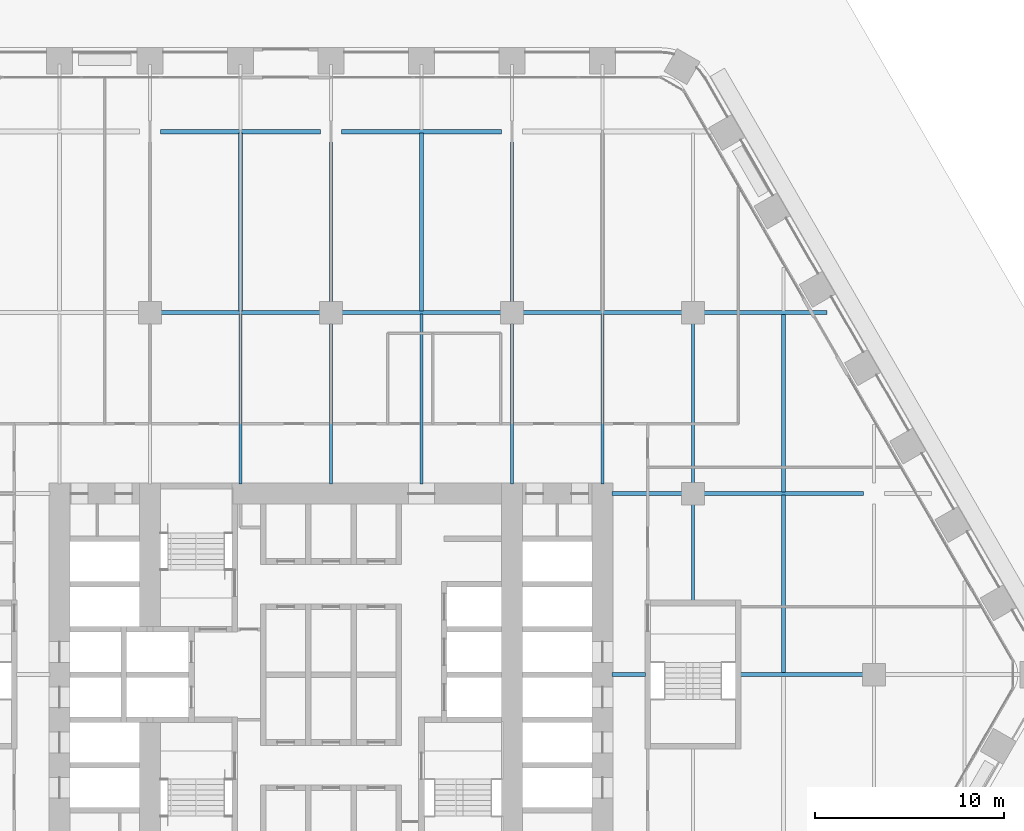
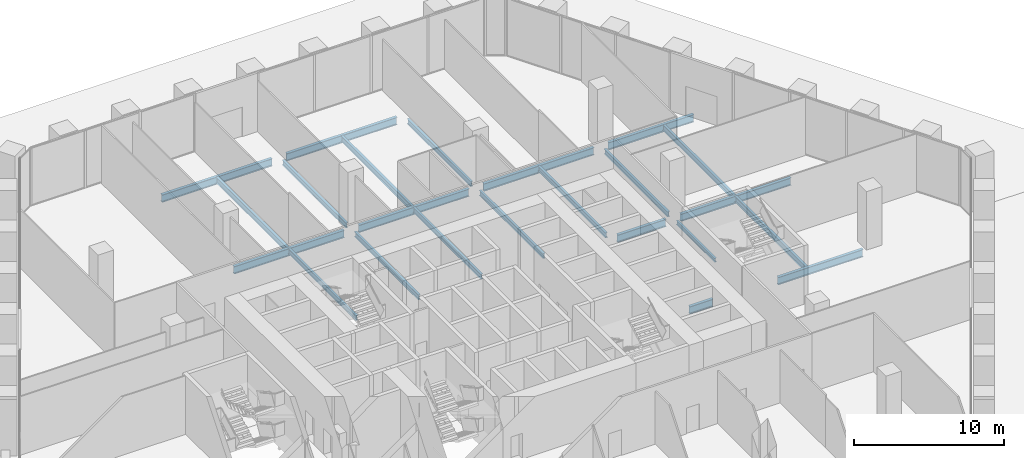
# One storey, part 9 of 29: 23 beams.
"""IFC4 building model written with IfcOpenShell, lengths in metres."""

from ifc_helpers import new_model, si_unit, direction, frame, origin, origin_2d, place, context, subcontext, project, spatial, i_section, extrude, material, material_profile, profile_set, type_object, element, save


model = new_model("IFC4")

# Units and contexts
model_context = context("Model", 3, precision=1e-05, world=origin(), true_north=direction((0.0, 1.0)))
body_context = subcontext(model_context, "Body", "Model", "MODEL_VIEW")
ifc_project = project(units=[si_unit("LENGTHUNIT", "METRE"), si_unit("AREAUNIT", "SQUARE_METRE"), si_unit("VOLUMEUNIT", "CUBIC_METRE"), si_unit("PLANEANGLEUNIT", "RADIAN"), si_unit("MASSUNIT", "GRAM", prefix="KILO")], contexts=[model_context])

# Site, building, storey
site_placement = place(None, origin())
site = spatial("IfcSite", under=ifc_project, at=site_placement, CompositionType="ELEMENT")
building_placement = place(site_placement, origin())
building = spatial("IfcBuilding", under=site, at=building_placement, Name="Kolab Exchange Tower", CompositionType="ELEMENT")
storey_placement = place(building_placement, frame((0.0, 0.0, 17.39990234375)))
storey = spatial("IfcBuildingStorey", under=building, at=storey_placement, Name="L03", CompositionType="ELEMENT", Elevation=17.39990234375)

# Beams
ifc_material = material(Name="Steel S355", Category="steel")
ifc_material_profile_1 = material_profile(ifc_material, i_section(OverallWidth=0.1650390625, OverallDepth=0.31005859375, WebThickness=0.005859375, FlangeThickness=0.009765625, at=origin_2d()), Name="W310X39")
ifc_profile_set_1 = profile_set([ifc_material_profile_1], Name="Steel S355")
beam_type_1 = type_object("IfcBeamType", Name="FLOOR BEAM W310X39", PredefinedType="BEAM", material=ifc_profile_set_1)
beam_1_placement = place(storey_placement, frame((19.199951171875, 3.909912109375, -0.40478515625), z_axis=(0.0, 1.0, 0.0), x_axis=(-1.0, 0.0, 0.0)))
element("IfcBeam", 1, at=beam_1_placement, inside=storey, type_object=beam_type_1, Name="beam/L03/fr/065", PredefinedType="BEAM", context=body_context, shape_type="SweptSolid", body=[
    extrude(i_section(OverallWidth=0.1650390625, OverallDepth=0.31005859375, WebThickness=0.005859375, FlangeThickness=0.009765625, at=origin_2d()), origin(), (0.0, 0.0, 1.0), 5.130126953125),
])
ifc_material_profile_2 = material_profile(ifc_material, i_section(OverallWidth=0.177978515625, OverallDepth=0.406982421875, WebThickness=0.0078125, FlangeThickness=0.0126953125, at=origin_2d()), Name="W410X60")
ifc_profile_set_2 = profile_set([ifc_material_profile_2], Name="Steel S355")
beam_type_2 = type_object("IfcBeamType", Name="FLOOR BEAM W410X60", PredefinedType="BEAM", material=ifc_profile_set_2)
beam_2_placement = place(storey_placement, frame((-4.800048828125, 10.110107421875, -0.453369140625), z_axis=(0.0, 1.0, 0.0), x_axis=(-1.0, 0.0, 0.0)))
element("IfcBeam", 2, at=beam_2_placement, inside=storey, type_object=beam_type_2, Name="beam/L03/fr/034", PredefinedType="BEAM", context=body_context, shape_type="SweptSolid", body=[
    extrude(i_section(OverallWidth=0.177978515625, OverallDepth=0.406982421875, WebThickness=0.0078125, FlangeThickness=0.0126953125, at=origin_2d()), origin(), (0.0, 0.0, 1.0), 9.015869140625),
])
beam_3_placement = place(storey_placement, frame((0.0, 10.110107421875, -0.453369140625), z_axis=(0.0, 1.0, 0.0), x_axis=(-1.0, 0.0, 0.0)))
element("IfcBeam", 3, at=beam_3_placement, inside=storey, type_object=beam_type_2, Name="beam/L03/fr/040", PredefinedType="BEAM", context=body_context, shape_type="SweptSolid", body=[
    extrude(i_section(OverallWidth=0.177978515625, OverallDepth=0.406982421875, WebThickness=0.0078125, FlangeThickness=0.0126953125, at=origin_2d()), origin(), (0.0, 0.0, 1.0), 8.52978515625),
])
beam_4_placement = place(storey_placement, frame((0.0, 19.760009765625, -0.453369140625), z_axis=(0.0, 1.0, 0.0), x_axis=(-1.0, 0.0, 0.0)))
element("IfcBeam", 4, at=beam_4_placement, inside=storey, type_object=beam_type_2, Name="beam/L03/fr/041", PredefinedType="BEAM", context=body_context, shape_type="SweptSolid", body=[
    extrude(i_section(OverallWidth=0.177978515625, OverallDepth=0.406982421875, WebThickness=0.0078125, FlangeThickness=0.0126953125, at=origin_2d()), origin(), (0.0, 0.0, 1.0), 8.47998046875),
])
beam_5_placement = place(storey_placement, frame((4.800048828125, 10.110107421875, -0.453369140625), z_axis=(0.0, 1.0, 0.0), x_axis=(-1.0, 0.0, 0.0)))
element("IfcBeam", 5, at=beam_5_placement, inside=storey, type_object=beam_type_2, Name="beam/L03/fr/046", PredefinedType="BEAM", context=body_context, shape_type="SweptSolid", body=[
    extrude(i_section(OverallWidth=0.177978515625, OverallDepth=0.406982421875, WebThickness=0.0078125, FlangeThickness=0.0126953125, at=origin_2d()), origin(), (0.0, 0.0, 1.0), 9.015869140625),
])
beam_6_placement = place(storey_placement, frame((9.60009765625, 10.110107421875, -0.453369140625), z_axis=(0.0, 1.0, 0.0), x_axis=(-1.0, 0.0, 0.0)))
element("IfcBeam", 6, at=beam_6_placement, inside=storey, type_object=beam_type_2, Name="beam/L03/fr/052", PredefinedType="BEAM", context=body_context, shape_type="SweptSolid", body=[
    extrude(i_section(OverallWidth=0.177978515625, OverallDepth=0.406982421875, WebThickness=0.0078125, FlangeThickness=0.0126953125, at=origin_2d()), origin(), (0.0, 0.0, 1.0), 8.52978515625),
])
beam_7_placement = place(storey_placement, frame((9.60009765625, 19.760009765625, -0.453369140625), z_axis=(0.0, 1.0, 0.0), x_axis=(-1.0, 0.0, 0.0)))
element("IfcBeam", 7, at=beam_7_placement, inside=storey, type_object=beam_type_2, Name="beam/L03/fr/053", PredefinedType="BEAM", context=body_context, shape_type="SweptSolid", body=[
    extrude(i_section(OverallWidth=0.177978515625, OverallDepth=0.406982421875, WebThickness=0.0078125, FlangeThickness=0.0126953125, at=origin_2d()), origin(), (0.0, 0.0, 1.0), 8.47998046875),
])
beam_8_placement = place(storey_placement, frame((14.39990234375, 10.110107421875, -0.453369140625), z_axis=(0.0, 1.0, 0.0), x_axis=(-1.0, 0.0, 0.0)))
element("IfcBeam", 8, at=beam_8_placement, inside=storey, type_object=beam_type_2, Name="beam/L03/fr/058", PredefinedType="BEAM", context=body_context, shape_type="SweptSolid", body=[
    extrude(i_section(OverallWidth=0.177978515625, OverallDepth=0.406982421875, WebThickness=0.0078125, FlangeThickness=0.0126953125, at=origin_2d()), origin(), (0.0, 0.0, 1.0), 9.015869140625),
])
beam_9_placement = place(storey_placement, frame((19.199951171875, 10.159912109375, -0.453369140625), z_axis=(0.0, 1.0, 0.0), x_axis=(-1.0, 0.0, 0.0)))
element("IfcBeam", 9, at=beam_9_placement, inside=storey, type_object=beam_type_2, Name="beam/L03/fr/066", PredefinedType="BEAM", context=body_context, shape_type="SweptSolid", body=[
    extrude(i_section(OverallWidth=0.177978515625, OverallDepth=0.406982421875, WebThickness=0.0078125, FlangeThickness=0.0126953125, at=origin_2d()), origin(), (0.0, 0.0, 1.0), 8.47998046875),
])
ifc_material_profile_3 = material_profile(ifc_material, i_section(OverallWidth=0.18994140625, OverallDepth=0.45703125, WebThickness=0.009033203125, FlangeThickness=0.014404296875, at=origin_2d()), Name="W460X74")
ifc_profile_set_3 = profile_set([ifc_material_profile_3], Name="Steel S355")
beam_type_3 = type_object("IfcBeamType", Name="FLOOR BEAM W460X74", PredefinedType="BEAM", material=ifc_profile_set_3)
for number, where, z_axis, x_axis, name in (
    (10, (-4.800048828125, 19.27392578125, -0.478515625), (0.0, 1.0, 0.0), (-1.0, 0.0, 0.0), "beam/L03/fr/035"),
    (11, (4.800048828125, 19.27392578125, -0.478515625), (0.0, 1.0, 0.0), (-1.0, 0.0, 0.0), "beam/L03/fr/047"),
):
    element("IfcBeam", number, at=place(storey_placement, frame(where, z_axis=z_axis, x_axis=x_axis)), inside=storey, type_object=beam_type_3, Name=name, PredefinedType="BEAM", context=body_context, shape_type="SweptSolid", body=[
        extrude(i_section(OverallWidth=0.18994140625, OverallDepth=0.45703125, WebThickness=0.009033203125, FlangeThickness=0.014404296875, at=origin_2d()), origin(), (0.0, 0.0, 1.0), 9.4521484375),
    ])
for number, where, z_axis, x_axis, name in (
    (12, (24.0, 0.073974609375, -0.478515625), (0.0, 1.0, 0.0), (-1.0, 0.0, 0.0), "beam/L03/fr/071"),
    (13, (24.0, 9.674072265625, -0.478515625), (0.0, 1.0, 0.0), (-1.0, 0.0, 0.0), "beam/L03/fr/072"),
):
    element("IfcBeam", number, at=place(storey_placement, frame(where, z_axis=z_axis, x_axis=x_axis)), inside=storey, type_object=beam_type_3, Name=name, PredefinedType="BEAM", context=body_context, shape_type="SweptSolid", body=[
        extrude(i_section(OverallWidth=0.18994140625, OverallDepth=0.45703125, WebThickness=0.009033203125, FlangeThickness=0.014404296875, at=origin_2d()), origin(), (0.0, 0.0, 1.0), 9.451904296875),
    ])
ifc_material_profile_4 = material_profile(ifc_material, i_section(OverallWidth=0.22802734375, OverallDepth=0.60791015625, WebThickness=0.01123046875, FlangeThickness=0.017333984375, at=origin_2d()), Name="W610X113")
ifc_profile_set_4 = profile_set([ifc_material_profile_4], Name="Steel S355")
beam_type_4 = type_object("IfcBeamType", Name="FLOOR GIRDER W610X113", PredefinedType="BEAM", material=ifc_profile_set_4)
for number, where, z_axis, x_axis, name in (
    (14, (-9.0400390625, 19.199951171875, -0.553955078125), (1.0, 0.0, 0.0), (0.0, 1.0, 0.0), "beam/L03/gd/016"),
    (15, (-9.0400390625, 28.800048828125, -0.553955078125), (1.0, 0.0, 0.0), (0.0, 1.0, 0.0), "beam/L03/gd/017"),
    (16, (0.56005859375, 19.199951171875, -0.553955078125), (1.0, 0.0, 0.0), (0.0, 1.0, 0.0), "beam/L03/gd/020"),
    (17, (0.56005859375, 28.800048828125, -0.553955078125), (1.0, 0.0, 0.0), (0.0, 1.0, 0.0), "beam/L03/gd/021"),
    (18, (10.159912109375, 19.199951171875, -0.553955078125), (1.0, 0.0, 0.0), (0.0, 1.0, 0.0), "beam/L03/gd/024"),
):
    element("IfcBeam", number, at=place(storey_placement, frame(where, z_axis=z_axis, x_axis=x_axis)), inside=storey, type_object=beam_type_4, Name=name, PredefinedType="BEAM", context=body_context, shape_type="SweptSolid", body=[
        extrude(i_section(OverallWidth=0.22802734375, OverallDepth=0.60791015625, WebThickness=0.01123046875, FlangeThickness=0.017333984375, at=origin_2d()), origin(), (0.0, 0.0, 1.0), 8.47998046875),
    ])
beam_10_placement = place(storey_placement, frame((14.909912109375, 0.0, -0.553955078125), z_axis=(1.0, 0.0, 0.0), x_axis=(0.0, 1.0, 0.0)))
element("IfcBeam", 19, at=beam_10_placement, inside=storey, type_object=beam_type_4, Name="beam/L03/gd/027", PredefinedType="BEAM", context=body_context, shape_type="SweptSolid", body=[
    extrude(i_section(OverallWidth=0.22802734375, OverallDepth=0.60791015625, WebThickness=0.01123046875, FlangeThickness=0.017333984375, at=origin_2d()), origin(), (0.0, 0.0, 1.0), 1.780029296875),
])
beam_11_placement = place(storey_placement, frame((14.909912109375, 9.60009765625, -0.553955078125), z_axis=(1.0, 0.0, 0.0), x_axis=(0.0, 1.0, 0.0)))
element("IfcBeam", 20, at=beam_11_placement, inside=storey, type_object=beam_type_4, Name="beam/L03/gd/028", PredefinedType="BEAM", context=body_context, shape_type="SweptSolid", body=[
    extrude(i_section(OverallWidth=0.22802734375, OverallDepth=0.60791015625, WebThickness=0.01123046875, FlangeThickness=0.017333984375, at=origin_2d()), origin(), (0.0, 0.0, 1.0), 3.72998046875),
])
beam_12_placement = place(storey_placement, frame((19.760009765625, 9.60009765625, -0.553955078125), z_axis=(1.0, 0.0, 0.0), x_axis=(0.0, 1.0, 0.0)))
element("IfcBeam", 21, at=beam_12_placement, inside=storey, type_object=beam_type_4, Name="beam/L03/gd/031", PredefinedType="BEAM", context=body_context, shape_type="SweptSolid", body=[
    extrude(i_section(OverallWidth=0.22802734375, OverallDepth=0.60791015625, WebThickness=0.01123046875, FlangeThickness=0.017333984375, at=origin_2d()), origin(), (0.0, 0.0, 1.0), 8.47998046875),
])
beam_13_placement = place(storey_placement, frame((19.760009765625, 19.199951171875, -0.553955078125), z_axis=(1.0, 0.0, 0.0), x_axis=(0.0, 1.0, 0.0)))
element("IfcBeam", 22, at=beam_13_placement, inside=storey, type_object=beam_type_4, Name="beam/L03/gd/032", PredefinedType="BEAM", context=body_context, shape_type="SweptSolid", body=[
    extrude(i_section(OverallWidth=0.22802734375, OverallDepth=0.60791015625, WebThickness=0.01123046875, FlangeThickness=0.017333984375, at=origin_2d()), origin(), (0.0, 0.0, 1.0), 6.5556640625),
])
beam_14_placement = place(storey_placement, frame((21.7099609375, 0.0, -0.553955078125), z_axis=(1.0, 0.0, 0.0), x_axis=(0.0, 1.0, 0.0)))
element("IfcBeam", 23, at=beam_14_placement, inside=storey, type_object=beam_type_4, Name="beam/L03/gd/033", PredefinedType="BEAM", context=body_context, shape_type="SweptSolid", body=[
    extrude(i_section(OverallWidth=0.22802734375, OverallDepth=0.60791015625, WebThickness=0.01123046875, FlangeThickness=0.017333984375, at=origin_2d()), origin(), (0.0, 0.0, 1.0), 6.530029296875),
])

save(model, "model.ifc")
